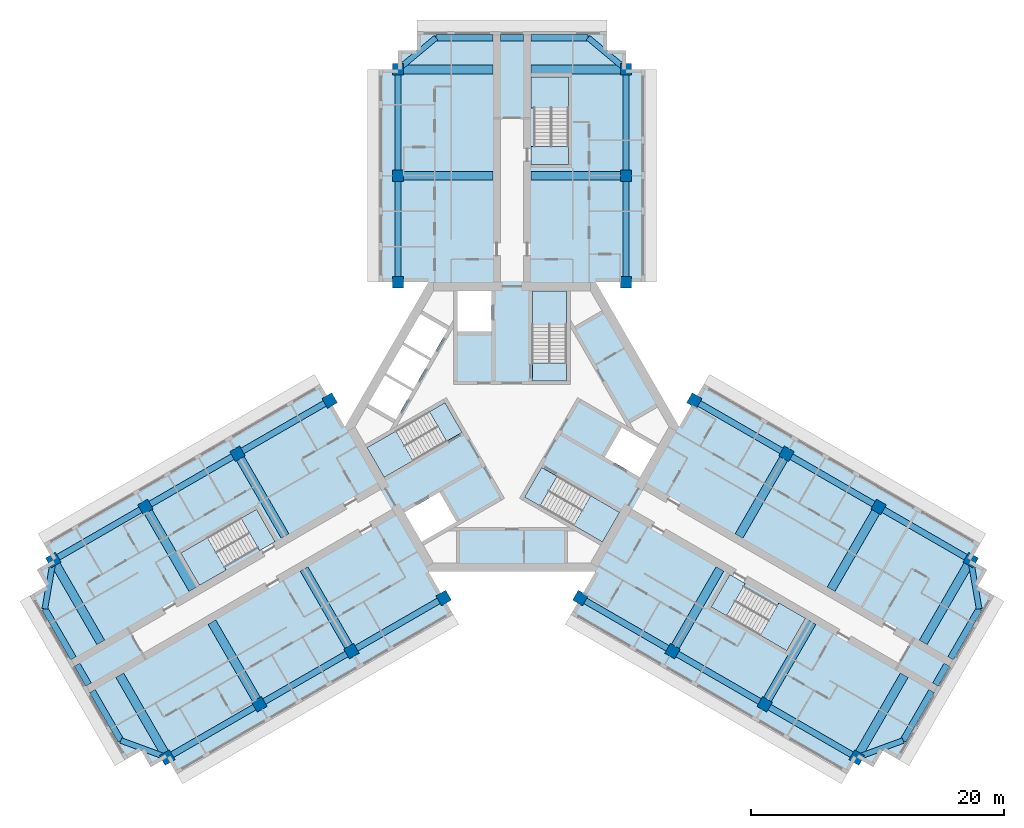
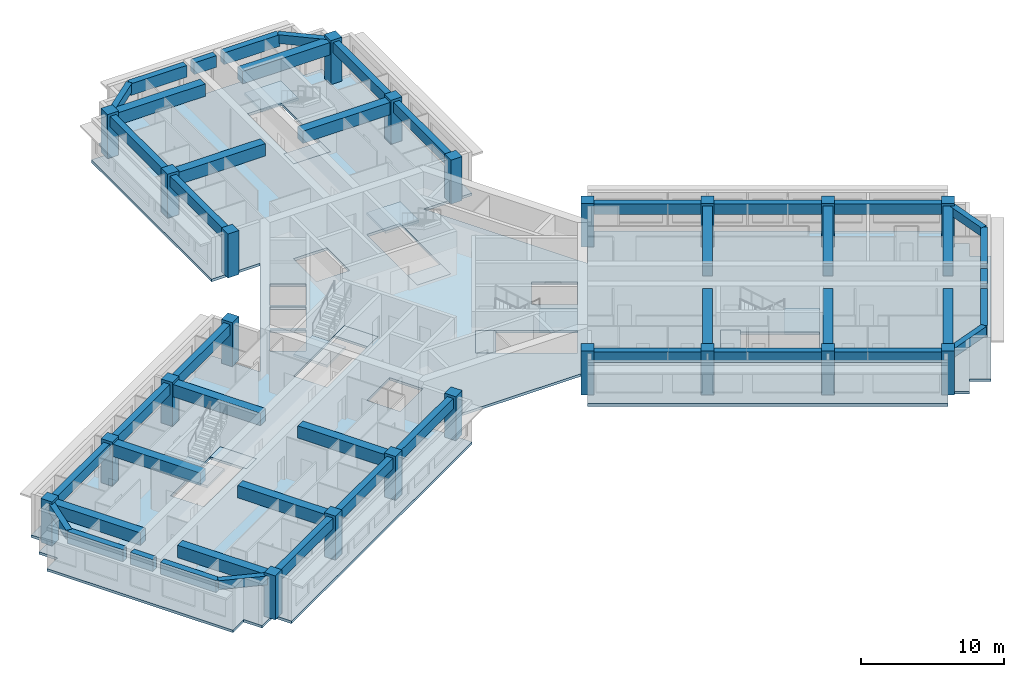
# One storey, part 1 of 12: 47 beams, 22 columns, 13 slabs, 6 elements without a shape of their own.
"""IFC4 building model written with IfcOpenShell, lengths in metres."""

from ifc_helpers import new_model, si_unit, direction, frame, origin, origin_2d, place, context, subcontext, project, spatial, polyline, rectangle, outline, extrude, material, layer, layer_set, material_profile, profile_set, type_object, element, aggregate, save


model = new_model("IFC4")

# Units and contexts
model_context = context("Model", 3, precision=1e-05, world=origin(), true_north=direction((0.0, 1.0)))
body_context = subcontext(model_context, "Body", "Model", "MODEL_VIEW")
ifc_project = project(units=[si_unit("LENGTHUNIT", "METRE"), si_unit("AREAUNIT", "SQUARE_METRE"), si_unit("VOLUMEUNIT", "CUBIC_METRE"), si_unit("PLANEANGLEUNIT", "RADIAN"), si_unit("MASSUNIT", "GRAM", prefix="KILO")], contexts=[model_context])

# Site, building, storey
site_placement = place(None, origin())
site = spatial("IfcSite", under=ifc_project, at=site_placement, CompositionType="ELEMENT")
building_placement = place(site_placement, origin())
building = spatial("IfcBuilding", under=site, at=building_placement, Name="Impinga Residences", CompositionType="ELEMENT")
storey_placement = place(building_placement, frame((0.0, 0.0, 211.0)))
storey = spatial("IfcBuildingStorey", under=building, at=storey_placement, Name="L52", CompositionType="ELEMENT", Elevation=211.0)

# Columns
ifc_material_1 = material(Name="Concrete C60/75", Category="concrete")
ifc_material_profile_1 = material_profile(ifc_material_1, rectangle(XDim=0.89990234375, YDim=0.89990234375, at=origin_2d()), Name="RC 900x900")
ifc_profile_set_1 = profile_set([ifc_material_profile_1], Name="Concrete C60/75")
column_type = type_object("IfcColumnType", Name="C4 900x900 column", PredefinedType="COLUMN", material=ifc_profile_set_1)
for number, where, z_axis, x_axis, name in (
    (1, (-9.0, 11.431640625, 0.0), (0.0, 0.0, 1.0), (1.0, 0.0, 0.0), "Column C4 N1/NA L52"),
    (2, (9.0, 11.431640625, 0.0), (0.0, 0.0, 1.0), (1.0, 0.0, 0.0), "Column C4 N1/NF L52"),
    (3, (-9.0, 19.83154296875, 0.0), (0.0, 0.0, 1.0), (1.0, 0.0, 0.0), "Column C4 N2/NA L52"),
    (4, (9.0, 19.83154296875, 0.0), (0.0, 0.0, 1.0), (1.0, 0.0, 0.0), "Column C4 N2/NF L52"),
    (5, (-9.0, 28.2314453125, 0.0), (0.0, 0.0, 1.0), (1.0, 0.0, 0.0), "Column C4 N3/NA L52"),
    (6, (9.0, 28.2314453125, 0.0), (0.0, 0.0, 1.0), (1.0, 0.0, 0.0), "Column C4 N3/NF L52"),
    (7, (-5.39990234375, -13.510009765625, 0.0), (0.0, 0.0, 1.0), (-0.5, 0.866025403784, 0.0), "Column C4 W1/WA L52"),
    (8, (-14.39990234375, 2.078369140625, 0.0), (0.0, 0.0, 1.0), (-0.5, 0.866025403784, 0.0), "Column C4 W1/WF L52"),
    (9, (-12.674560546875, -17.7099609375, 0.0), (0.0, 0.0, 1.0), (-0.5, 0.866025403784, 0.0), "Column C4 W2/WA L52"),
    (10, (-21.674560546875, -2.12158203125, 0.0), (0.0, 0.0, 1.0), (-0.5, 0.866025403784, 0.0), "Column C4 W2/WF L52"),
    (11, (-19.94921875, -21.909912109375, 0.0), (0.0, 0.0, 1.0), (-0.5, 0.866025403784, 0.0), "Column C4 W3/WA L52"),
    (12, (-28.94921875, -6.321533203125, 0.0), (0.0, 0.0, 1.0), (-0.5, 0.866025403784, 0.0), "Column C4 W3/WF L52"),
    (13, (-27.223876953125, -26.110107421875, 0.0), (0.0, 0.0, 1.0), (-0.5, 0.866025403784, 0.0), "Column C4 W4/WA L52"),
    (14, (-36.223876953125, -10.521484375, 0.0), (0.0, 0.0, 1.0), (-0.5, 0.866025403784, 0.0), "Column C4 W4/WF L52"),
    (15, (14.39990234375, 2.078369140625, 0.0), (0.0, 0.0, 1.0), (-0.5, -0.866025403784, 0.0), "Column C4 E1/EA L52"),
    (16, (5.39990234375, -13.510009765625, 0.0), (0.0, 0.0, 1.0), (-0.5, -0.866025403784, 0.0), "Column C4 E1/EF L52"),
    (17, (21.674560546875, -2.12158203125, 0.0), (0.0, 0.0, 1.0), (-0.5, -0.866025403784, 0.0), "Column C4 E2/EA L52"),
    (18, (12.674560546875, -17.7099609375, 0.0), (0.0, 0.0, 1.0), (-0.5, -0.866025403784, 0.0), "Column C4 E2/EF L52"),
    (19, (28.94921875, -6.321533203125, 0.0), (0.0, 0.0, 1.0), (-0.5, -0.866025403784, 0.0), "Column C4 E3/EA L52"),
    (20, (19.94921875, -21.909912109375, 0.0), (0.0, 0.0, 1.0), (-0.5, -0.866025403784, 0.0), "Column C4 E3/EF L52"),
    (21, (36.223876953125, -10.521484375, 0.0), (0.0, 0.0, 1.0), (-0.5, -0.866025403784, 0.0), "Column C4 E4/EA L52"),
    (22, (27.223876953125, -26.110107421875, 0.0), (0.0, 0.0, 1.0), (-0.5, -0.866025403784, 0.0), "Column C4 E4/EF L52"),
):
    element("IfcColumn", number, at=place(storey_placement, frame(where, z_axis=z_axis, x_axis=x_axis)), inside=storey, type_object=column_type, Name=name, PredefinedType="COLUMN", context=body_context, shape_type="SweptSolid", body=[
        extrude(rectangle(XDim=0.89990234375, YDim=0.89990234375, at=origin_2d()), origin(), (0.0, 0.0, 1.0), 3.75),
    ])

# Beams
ifc_material_profile_2 = material_profile(ifc_material_1, rectangle(XDim=0.449951171875, YDim=0.75, at=origin_2d()), Name="RC 450x750")
ifc_profile_set_2 = profile_set([ifc_material_profile_2], Name="Concrete C60/75")
beam_type_1 = type_object("IfcBeamType", Name="CB1 450x750 wing end cantilever beam", PredefinedType="BEAM", material=ifc_profile_set_2)
for number, where, z_axis, x_axis, name in (
    (23, (-9.0, 28.2314453125, 3.155029296875), (0.768221279597, 0.640184399664, 0.0), (-0.640184399664, 0.768221279597, 0.0), "Beam CB1 NB N3-NX level L53"),
    (24, (9.0, 28.2314453125, 3.155029296875), (-0.768221279597, 0.640184399664, 0.0), (-0.640184399664, -0.768221279597, 0.0), "Beam CB1 NE N3-NX level L53"),
    (25, (-27.223876953125, -26.110107421875, 3.155029296875), (-0.938520178725, 0.345224382289, 0.0), (-0.345224382289, -0.938520178725, 0.0), "Beam CB1 WB W4-WX level L53"),
):
    element("IfcBeam", number, at=place(storey_placement, frame(where, z_axis=z_axis, x_axis=x_axis)), inside=storey, type_object=beam_type_1, Name=name, PredefinedType="BEAM", context=body_context, shape_type="SweptSolid", body=[
        extrude(rectangle(XDim=0.449951171875, YDim=0.75, at=origin_2d()), origin(), (0.0, 0.0, 1.0), 3.905029296875),
    ])
for number, where, z_axis, x_axis, name in (
    (26, (-36.223876953125, -10.521484375, 3.155029296875), (-0.170296298948, -0.985392901621, 0.0), (0.985392901621, -0.170296298948, 0.0), "Beam CB1 WE W4-WX level L53"),
    (27, (36.223876953125, -10.521484375, 3.155029296875), (0.170296298948, -0.985392901621, 0.0), (0.985392901621, 0.170296298948, 0.0), "Beam CB1 EB E4-EX level L53"),
):
    element("IfcBeam", number, at=place(storey_placement, frame(where, z_axis=z_axis, x_axis=x_axis)), inside=storey, type_object=beam_type_1, Name=name, PredefinedType="BEAM", context=body_context, shape_type="SweptSolid", body=[
        extrude(rectangle(XDim=0.449951171875, YDim=0.75, at=origin_2d()), origin(), (0.0, 0.0, 1.0), 3.9052734375),
    ])
beam_1_placement = place(storey_placement, frame((27.223876953125, -26.110107421875, 3.155029296875), z_axis=(0.938520178725, 0.345224382289, 0.0), x_axis=(-0.345224382289, 0.938520178725, 0.0)))
element("IfcBeam", 28, at=beam_1_placement, inside=storey, type_object=beam_type_1, Name="Beam CB1 EE E4-EX level L53", PredefinedType="BEAM", context=body_context, shape_type="SweptSolid", body=[
    extrude(rectangle(XDim=0.449951171875, YDim=0.75, at=origin_2d()), origin(), (0.0, 0.0, 1.0), 3.905029296875),
])
ifc_material_profile_3 = material_profile(ifc_material_1, rectangle(XDim=0.699951171875, YDim=1.050048828125, at=origin_2d()), Name="RC 700x1050")
ifc_profile_set_3 = profile_set([ifc_material_profile_3], Name="Concrete C60/75")
beam_type_2 = type_object("IfcBeamType", Name="CG1 700x1050 cross girder on a wing bay line", PredefinedType="BEAM", material=ifc_profile_set_3)
for number, where, z_axis, x_axis, name in (
    (29, (-1.5, 19.83154296875, 3.0048828125), (-1.0, 0.0, 0.0), (0.0, -1.0, 0.0), "Beam CG1 N2 NC/NA level L53"),
    (30, (-1.5, 28.2314453125, 3.0048828125), (-1.0, 0.0, 0.0), (0.0, -1.0, 0.0), "Beam CG1 N3 NC/NA level L53"),
    (31, (1.5, 19.83154296875, 3.0048828125), (1.0, 0.0, 0.0), (0.0, 1.0, 0.0), "Beam CG1 N2 NC/NF level L53"),
    (32, (1.5, 28.2314453125, 3.0048828125), (1.0, 0.0, 0.0), (0.0, 1.0, 0.0), "Beam CG1 N3 NC/NF level L53"),
    (33, (-16.424560546875, -11.21484375, 3.0048828125), (0.500004234368, -0.866022959057, 0.0), (0.866022959057, 0.500004234368, 0.0), "Beam CG1 W2 WC/WA level L53"),
    (34, (-23.69921875, -15.414794921875, 3.0048828125), (0.500004234368, -0.866022959057, 0.0), (0.866022959057, 0.500004234368, 0.0), "Beam CG1 W3 WC/WA level L53"),
):
    element("IfcBeam", number, at=place(storey_placement, frame(where, z_axis=z_axis, x_axis=x_axis)), inside=storey, type_object=beam_type_2, Name=name, PredefinedType="BEAM", context=body_context, shape_type="SweptSolid", body=[
        extrude(rectangle(XDim=0.699951171875, YDim=1.050048828125, at=origin_2d()), origin(), (0.0, 0.0, 1.0), 7.5),
    ])
beam_2_placement = place(storey_placement, frame((-30.973876953125, -19.61474609375, 3.0048828125), z_axis=(0.499990139034, -0.866031096941, 0.0), x_axis=(0.866031096941, 0.499990139034, 0.0)))
element("IfcBeam", 35, at=beam_2_placement, inside=storey, type_object=beam_type_2, Name="Beam CG1 W4 WC/WA level L53", PredefinedType="BEAM", context=body_context, shape_type="SweptSolid", body=[
    extrude(rectangle(XDim=0.699951171875, YDim=1.050048828125, at=origin_2d()), origin(), (0.0, 0.0, 1.0), 7.500244140625),
])
for number, where, z_axis, x_axis, name in (
    (36, (-17.924560546875, -8.61669921875, 3.0048828125), (-0.500004234368, 0.866022959057, 0.0), (-0.866022959057, -0.500004234368, 0.0), "Beam CG1 W2 WC/WF level L53"),
    (37, (-25.19921875, -12.816650390625, 3.0048828125), (-0.500004234368, 0.866022959057, 0.0), (-0.866022959057, -0.500004234368, 0.0), "Beam CG1 W3 WC/WF level L53"),
):
    element("IfcBeam", number, at=place(storey_placement, frame(where, z_axis=z_axis, x_axis=x_axis)), inside=storey, type_object=beam_type_2, Name=name, PredefinedType="BEAM", context=body_context, shape_type="SweptSolid", body=[
        extrude(rectangle(XDim=0.699951171875, YDim=1.050048828125, at=origin_2d()), origin(), (0.0, 0.0, 1.0), 7.5),
    ])
beam_3_placement = place(storey_placement, frame((-32.473876953125, -17.016845703125, 3.0048828125), z_axis=(-0.499990139034, 0.866031096941, 0.0), x_axis=(-0.866031096941, -0.499990139034, 0.0)))
element("IfcBeam", 38, at=beam_3_placement, inside=storey, type_object=beam_type_2, Name="Beam CG1 W4 WC/WF level L53", PredefinedType="BEAM", context=body_context, shape_type="SweptSolid", body=[
    extrude(rectangle(XDim=0.699951171875, YDim=1.050048828125, at=origin_2d()), origin(), (0.0, 0.0, 1.0), 7.500244140625),
])
for number, where, z_axis, x_axis, name in (
    (39, (17.924560546875, -8.61669921875, 3.0048828125), (0.500004234368, 0.866022959057, 0.0), (-0.866022959057, 0.500004234368, 0.0), "Beam CG1 E2 EC/EA level L53"),
    (40, (25.19921875, -12.816650390625, 3.0048828125), (0.500004234368, 0.866022959057, 0.0), (-0.866022959057, 0.500004234368, 0.0), "Beam CG1 E3 EC/EA level L53"),
):
    element("IfcBeam", number, at=place(storey_placement, frame(where, z_axis=z_axis, x_axis=x_axis)), inside=storey, type_object=beam_type_2, Name=name, PredefinedType="BEAM", context=body_context, shape_type="SweptSolid", body=[
        extrude(rectangle(XDim=0.699951171875, YDim=1.050048828125, at=origin_2d()), origin(), (0.0, 0.0, 1.0), 7.5),
    ])
beam_4_placement = place(storey_placement, frame((32.473876953125, -17.016845703125, 3.0048828125), z_axis=(0.499990139034, 0.866031096941, 0.0), x_axis=(-0.866031096941, 0.499990139034, 0.0)))
element("IfcBeam", 41, at=beam_4_placement, inside=storey, type_object=beam_type_2, Name="Beam CG1 E4 EC/EA level L53", PredefinedType="BEAM", context=body_context, shape_type="SweptSolid", body=[
    extrude(rectangle(XDim=0.699951171875, YDim=1.050048828125, at=origin_2d()), origin(), (0.0, 0.0, 1.0), 7.500244140625),
])
for number, where, z_axis, x_axis, name in (
    (42, (16.424560546875, -11.21484375, 3.0048828125), (-0.500004234368, -0.866022959057, 0.0), (0.866022959057, -0.500004234368, 0.0), "Beam CG1 E2 EC/EF level L53"),
    (43, (23.69921875, -15.414794921875, 3.0048828125), (-0.500004234368, -0.866022959057, 0.0), (0.866022959057, -0.500004234368, 0.0), "Beam CG1 E3 EC/EF level L53"),
):
    element("IfcBeam", number, at=place(storey_placement, frame(where, z_axis=z_axis, x_axis=x_axis)), inside=storey, type_object=beam_type_2, Name=name, PredefinedType="BEAM", context=body_context, shape_type="SweptSolid", body=[
        extrude(rectangle(XDim=0.699951171875, YDim=1.050048828125, at=origin_2d()), origin(), (0.0, 0.0, 1.0), 7.5),
    ])
beam_5_placement = place(storey_placement, frame((30.973876953125, -19.61474609375, 3.0048828125), z_axis=(-0.499990139034, -0.866031096941, 0.0), x_axis=(0.866031096941, -0.499990139034, 0.0)))
element("IfcBeam", 44, at=beam_5_placement, inside=storey, type_object=beam_type_2, Name="Beam CG1 E4 EC/EF level L53", PredefinedType="BEAM", context=body_context, shape_type="SweptSolid", body=[
    extrude(rectangle(XDim=0.699951171875, YDim=1.050048828125, at=origin_2d()), origin(), (0.0, 0.0, 1.0), 7.500244140625),
])
ifc_material_profile_4 = material_profile(ifc_material_1, rectangle(XDim=0.5, YDim=1.0, at=origin_2d()), Name="RC 500x1000")
ifc_profile_set_4 = profile_set([ifc_material_profile_4], Name="Concrete C60/75")
beam_type_3 = type_object("IfcBeamType", Name="EB1 500x1000 wing end beam", PredefinedType="BEAM", material=ifc_profile_set_4)
beam_6_placement = place(storey_placement, frame((-6.0, 30.7314453125, 3.030029296875), z_axis=(1.0, 0.0, 0.0), x_axis=(0.0, 1.0, 0.0)))
element("IfcBeam", 45, at=beam_6_placement, inside=storey, type_object=beam_type_3, Name="Beam EB1 NX2 level L53", PredefinedType="BEAM", context=body_context, shape_type="SweptSolid", body=[
    extrude(rectangle(XDim=0.5, YDim=1.0, at=origin_2d()), origin(), (0.0, 0.0, 1.0), 4.5),
])
beam_7_placement = place(storey_placement, frame((-0.89990234375, 30.7314453125, 3.030029296875), z_axis=(1.0, 0.0, 0.0), x_axis=(0.0, 1.0, 0.0)))
element("IfcBeam", 46, at=beam_7_placement, inside=storey, type_object=beam_type_3, Name="Beam EB1 NX2 level L53", PredefinedType="BEAM", context=body_context, shape_type="SweptSolid", body=[
    extrude(rectangle(XDim=0.5, YDim=1.0, at=origin_2d()), origin(), (0.0, 0.0, 1.0), 1.7998046875),
])
for number, where, z_axis, x_axis, name in (
    (47, (1.5, 30.7314453125, 3.030029296875), (1.0, 0.0, 0.0), (0.0, 1.0, 0.0), "Beam EB1 NX2 level L53"),
    (48, (-30.888916015625, -24.761962890625, 3.030029296875), (-0.499990139034, 0.866031096941, 0.0), (-0.866031096941, -0.499990139034, 0.0), "Beam EB1 WX3 level L53"),
):
    element("IfcBeam", number, at=place(storey_placement, frame(where, z_axis=z_axis, x_axis=x_axis)), inside=storey, type_object=beam_type_3, Name=name, PredefinedType="BEAM", context=body_context, shape_type="SweptSolid", body=[
        extrude(rectangle(XDim=0.5, YDim=1.0, at=origin_2d()), origin(), (0.0, 0.0, 1.0), 4.5),
    ])
beam_8_placement = place(storey_placement, frame((-33.43896484375, -20.34521484375, 3.030029296875), z_axis=(-0.499961193289, 0.866047807691, 0.0), x_axis=(-0.866047807691, -0.499961193289, 0.0)))
element("IfcBeam", 49, at=beam_8_placement, inside=storey, type_object=beam_type_3, Name="Beam EB1 WX3 level L53", PredefinedType="BEAM", context=body_context, shape_type="SweptSolid", body=[
    extrude(rectangle(XDim=0.5, YDim=1.0, at=origin_2d()), origin(), (0.0, 0.0, 1.0), 1.800048828125),
])
for number, where, z_axis, x_axis, name in (
    (50, (-34.638916015625, -18.266845703125, 3.030029296875), (-0.499990139034, 0.866031096941, 0.0), (-0.866031096941, -0.499990139034, 0.0), "Beam EB1 WX3 level L53"),
    (51, (36.888916015625, -14.36962890625, 3.030029296875), (-0.499990139034, -0.866031096941, 0.0), (0.866031096941, -0.499990139034, 0.0), "Beam EB1 EX3 level L53"),
):
    element("IfcBeam", number, at=place(storey_placement, frame(where, z_axis=z_axis, x_axis=x_axis)), inside=storey, type_object=beam_type_3, Name=name, PredefinedType="BEAM", context=body_context, shape_type="SweptSolid", body=[
        extrude(rectangle(XDim=0.5, YDim=1.0, at=origin_2d()), origin(), (0.0, 0.0, 1.0), 4.5),
    ])
beam_9_placement = place(storey_placement, frame((34.3388671875, -18.786376953125, 3.030029296875), z_axis=(-0.499961193289, -0.866047807691, 0.0), x_axis=(0.866047807691, -0.499961193289, 0.0)))
element("IfcBeam", 52, at=beam_9_placement, inside=storey, type_object=beam_type_3, Name="Beam EB1 EX3 level L53", PredefinedType="BEAM", context=body_context, shape_type="SweptSolid", body=[
    extrude(rectangle(XDim=0.5, YDim=1.0, at=origin_2d()), origin(), (0.0, 0.0, 1.0), 1.800048828125),
])
beam_10_placement = place(storey_placement, frame((33.138916015625, -20.86474609375, 3.030029296875), z_axis=(-0.499990139034, -0.866031096941, 0.0), x_axis=(0.866031096941, -0.499990139034, 0.0)))
element("IfcBeam", 53, at=beam_10_placement, inside=storey, type_object=beam_type_3, Name="Beam EB1 EX3 level L53", PredefinedType="BEAM", context=body_context, shape_type="SweptSolid", body=[
    extrude(rectangle(XDim=0.5, YDim=1.0, at=origin_2d()), origin(), (0.0, 0.0, 1.0), 4.5),
])
ifc_material_profile_5 = material_profile(ifc_material_1, rectangle(XDim=0.5, YDim=0.89990234375, at=origin_2d()), Name="RC 500x900")
ifc_profile_set_5 = profile_set([ifc_material_profile_5], Name="Concrete C60/75")
beam_type_4 = type_object("IfcBeamType", Name="SB1 500x900 perimeter spandrel beam", PredefinedType="SPANDREL", material=ifc_profile_set_5)
for number, where, z_axis, x_axis, name in (
    (54, (-9.0, 11.431640625, 3.080078125), (0.0, 1.0, 0.0), (-1.0, 0.0, 0.0), "Beam SB1 NA N1-N2 level L53"),
    (55, (-9.0, 19.83154296875, 3.080078125), (0.0, 1.0, 0.0), (-1.0, 0.0, 0.0), "Beam SB1 NA N2-N3 level L53"),
    (56, (9.0, 11.431640625, 3.080078125), (0.0, 1.0, 0.0), (-1.0, 0.0, 0.0), "Beam SB1 NF N1-N2 level L53"),
    (57, (9.0, 19.83154296875, 3.080078125), (0.0, 1.0, 0.0), (-1.0, 0.0, 0.0), "Beam SB1 NF N2-N3 level L53"),
    (58, (-5.39990234375, -13.510009765625, 3.080078125), (-0.86602925447, -0.499993330357, 0.0), (0.499993330357, -0.86602925447, 0.0), "Beam SB1 WA W1-W2 level L53"),
    (59, (-12.674560546875, -17.7099609375, 3.080078125), (-0.86602925447, -0.499993330357, 0.0), (0.499993330357, -0.86602925447, 0.0), "Beam SB1 WA W2-W3 level L53"),
):
    element("IfcBeam", number, at=place(storey_placement, frame(where, z_axis=z_axis, x_axis=x_axis)), inside=storey, type_object=beam_type_4, Name=name, PredefinedType="SPANDREL", context=body_context, shape_type="SweptSolid", body=[
        extrude(rectangle(XDim=0.5, YDim=0.89990234375, at=origin_2d()), origin(), (0.0, 0.0, 1.0), 8.39990234375),
    ])
beam_11_placement = place(storey_placement, frame((-19.94921875, -21.909912109375, 3.080078125), z_axis=(-0.866016669275, -0.500015128309, 0.0), x_axis=(0.500015128309, -0.866016669275, 0.0)))
element("IfcBeam", 60, at=beam_11_placement, inside=storey, type_object=beam_type_4, Name="Beam SB1 WA W3-W4 level L53", PredefinedType="SPANDREL", context=body_context, shape_type="SweptSolid", body=[
    extrude(rectangle(XDim=0.5, YDim=0.89990234375, at=origin_2d()), origin(), (0.0, 0.0, 1.0), 8.400146484375),
])
for number, where, z_axis, x_axis, name in (
    (61, (-14.39990234375, 2.078369140625, 3.080078125), (-0.86602925447, -0.499993330357, 0.0), (0.499993330357, -0.86602925447, 0.0), "Beam SB1 WF W1-W2 level L53"),
    (62, (-21.674560546875, -2.12158203125, 3.080078125), (-0.86602925447, -0.499993330357, 0.0), (0.499993330357, -0.86602925447, 0.0), "Beam SB1 WF W2-W3 level L53"),
    (63, (-28.94921875, -6.321533203125, 3.080078125), (-0.86602925447, -0.499993330357, 0.0), (0.499993330357, -0.86602925447, 0.0), "Beam SB1 WF W3-W4 level L53"),
    (64, (14.39990234375, 2.078369140625, 3.080078125), (0.86602925447, -0.499993330357, 0.0), (0.499993330357, 0.86602925447, 0.0), "Beam SB1 EA E1-E2 level L53"),
    (65, (21.674560546875, -2.12158203125, 3.080078125), (0.86602925447, -0.499993330357, 0.0), (0.499993330357, 0.86602925447, 0.0), "Beam SB1 EA E2-E3 level L53"),
    (66, (28.94921875, -6.321533203125, 3.080078125), (0.86602925447, -0.499993330357, 0.0), (0.499993330357, 0.86602925447, 0.0), "Beam SB1 EA E3-E4 level L53"),
    (67, (5.39990234375, -13.510009765625, 3.080078125), (0.86602925447, -0.499993330357, 0.0), (0.499993330357, 0.86602925447, 0.0), "Beam SB1 EF E1-E2 level L53"),
    (68, (12.674560546875, -17.7099609375, 3.080078125), (0.86602925447, -0.499993330357, 0.0), (0.499993330357, 0.86602925447, 0.0), "Beam SB1 EF E2-E3 level L53"),
):
    element("IfcBeam", number, at=place(storey_placement, frame(where, z_axis=z_axis, x_axis=x_axis)), inside=storey, type_object=beam_type_4, Name=name, PredefinedType="SPANDREL", context=body_context, shape_type="SweptSolid", body=[
        extrude(rectangle(XDim=0.5, YDim=0.89990234375, at=origin_2d()), origin(), (0.0, 0.0, 1.0), 8.39990234375),
    ])
beam_12_placement = place(storey_placement, frame((19.94921875, -21.909912109375, 3.080078125), z_axis=(0.866016669275, -0.500015128309, 0.0), x_axis=(0.500015128309, 0.866016669275, 0.0)))
element("IfcBeam", 69, at=beam_12_placement, inside=storey, type_object=beam_type_4, Name="Beam SB1 EF E3-E4 level L53", PredefinedType="SPANDREL", context=body_context, shape_type="SweptSolid", body=[
    extrude(rectangle(XDim=0.5, YDim=0.89990234375, at=origin_2d()), origin(), (0.0, 0.0, 1.0), 8.400146484375),
])

# Slab
ifc_layer_1 = layer(ifc_material_1, 0.219970703125)
ifc_layer_set_1 = layer_set([ifc_layer_1], Name="Concrete C60/75")
slab_type_1 = type_object("IfcSlabType", Name="FS1 tower floor slab 220", PredefinedType="FLOOR", material=ifc_layer_set_1)
slab_1_placement = place(storey_placement, frame((0.0, 0.0, -0.219970703125)))
element("IfcSlab", 70, at=slab_1_placement, inside=storey, type_object=slab_type_1, Name="Floor slab FS1 L52", PredefinedType="FLOOR", context=body_context, shape_type="SweptSolid", body=[
    extrude(outline(polyline([(-27.223876953125, -26.110107421875), (-28.52294921875, -26.860107421875), (-29.27294921875, -25.56103515625), (-30.572021484375, -26.31103515625), (-38.072021484375, -13.320556640625), (-36.77294921875, -12.570556640625), (-37.52294921875, -11.271484375), (-36.223876953125, -10.521484375), (-36.973876953125, -9.222412109375), (-15.14990234375, 3.37744140625), (-13.199951171875, 0.0), (-6.60009765625, 11.431640625), (-10.5, 11.431640625), (-10.5, 28.2314453125), (-9.0, 28.2314453125), (-9.0, 29.7314453125), (-7.5, 29.7314453125), (-7.5, 31.2314453125), (7.5, 31.2314453125), (7.5, 29.7314453125), (9.0, 29.7314453125), (9.0, 28.2314453125), (10.5, 28.2314453125), (10.5, 11.431640625), (6.60009765625, 11.431640625), (13.199951171875, 0.0), (15.14990234375, 3.37744140625), (36.973876953125, -9.222412109375), (36.223876953125, -10.521484375), (37.52294921875, -11.271484375), (36.77294921875, -12.570556640625), (38.072021484375, -13.320556640625), (30.572021484375, -26.31103515625), (29.27294921875, -25.56103515625), (28.52294921875, -26.860107421875), (27.223876953125, -26.110107421875), (26.473876953125, -27.408935546875), (4.64990234375, -14.80908203125), (9.900146484375, -5.7158203125), (6.60009765625, -11.431640625), (-6.60009765625, -11.431640625), (-9.900146484375, -5.7158203125), (-4.64990234375, -14.80908203125), (-26.473876953125, -27.408935546875), (-27.223876953125, -26.110107421875)]), holes=[polyline([(-18.7041015625, -9.066650390625), (-18.8291015625, -8.850341796875), (-18.8291015625, -8.850341796875), (-20.178955078125, -6.511962890625), (-21.391357421875, -7.2119140625), (-21.391357421875, -7.2119140625), (-26.154541015625, -9.9619140625), (-24.8046875, -12.30029296875), (-20.04150390625, -9.55029296875), (-19.91650390625, -9.766845703125), (-18.7041015625, -9.066650390625)]), polyline([(-5.72119140625, -5.150634765625), (-8.493896484375, -6.75146484375), (-7.143798828125, -9.089599609375), (-4.37109375, -7.489013671875), (-5.72119140625, -5.150634765625)]), polyline([(-5.293701171875, 1.908935546875), (-11.44384765625, -1.641845703125), (-10.09375, -3.980224609375), (-3.943603515625, -0.429443359375), (-5.293701171875, 1.908935546875)]), polyline([(-7.878662109375, 2.816650390625), (-10.043701171875, 4.066650390625), (-11.34375, 1.81494140625), (-9.1787109375, 0.56494140625), (-7.878662109375, 2.816650390625)]), polyline([(-6.478759765625, 5.24169921875), (-8.643798828125, 6.49169921875), (-9.94384765625, 4.239990234375), (-7.77880859375, 2.989990234375), (-6.478759765625, 5.24169921875)]), polyline([(-6.378662109375, 5.414794921875), (-5.07861328125, 7.66650390625), (-7.243896484375, 8.91650390625), (-8.543701171875, 6.664794921875), (-6.378662109375, 5.414794921875)]), polyline([(-4.300048828125, 7.530029296875), (-1.60009765625, 7.530029296875), (-1.60009765625, 10.7314453125), (-4.300048828125, 10.7314453125), (-4.300048828125, 7.530029296875)]), polyline([(15.72900390625, -14.219482421875), (21.70458984375, -17.669677734375), (23.0546875, -15.331298828125), (18.29150390625, -12.581298828125), (18.41650390625, -12.36474609375), (17.2041015625, -11.664794921875), (15.72900390625, -14.219482421875)]), polyline([(0.99365234375, -5.538818359375), (7.143798828125, -9.089599609375), (8.493896484375, -6.75146484375), (2.34375, -3.20068359375), (0.99365234375, -5.538818359375)]), polyline([(7.3212890625, -2.37939453125), (10.09375, -3.980224609375), (11.44384765625, -1.641845703125), (8.671142578125, -0.041015625), (7.3212890625, -2.37939453125)]), polyline([(4.300048828125, 3.6298828125), (4.300048828125, 10.7314453125), (1.60009765625, 10.7314453125), (1.60009765625, 3.6298828125), (4.300048828125, 3.6298828125)]), polyline([(1.75, 22.131591796875), (1.5, 22.131591796875), (1.5, 20.7314453125), (1.75, 20.7314453125), (4.449951171875, 20.7314453125), (4.449951171875, 22.131591796875), (4.449951171875, 27.631591796875), (1.75, 27.631591796875), (1.75, 22.131591796875)])]), origin(), (0.0, 0.0, 1.0), 0.219970703125),
])

# Stair, slabs
ifc_material_2 = material(Name="Concrete C40/50", Category="concrete")
stair_type_1 = type_object("IfcStairType", Name="STR core stair 3750 storey, 24 risers", PredefinedType="HALF_TURN_STAIR", material=ifc_material_2)
stair_1_placement = place(storey_placement, origin())
stair_1 = element("IfcStair", 71, at=stair_1_placement, inside=storey, type_object=stair_type_1, Name="Stair ST1 L52", PredefinedType="HALF_TURN_STAIR")
ifc_layer_2 = layer(ifc_material_2, 0.199951171875)
ifc_layer_set_2 = layer_set([ifc_layer_2], Name="Concrete C40/50")
slab_type_2 = type_object("IfcSlabType", Name="LS1 stair landing 200", PredefinedType="LANDING", material=ifc_layer_set_2)
slab_2_placement = place(storey_placement, frame((0.0, 0.0, -0.199951171875)))
slab_2 = element("IfcSlab", 72, at=slab_2_placement, type_object=slab_type_2, Name="ST1 landing 1", PredefinedType="LANDING", context=body_context, shape_type="SweptSolid", body=[
    extrude(outline(polyline([(1.60009765625, 3.6298828125), (4.300048828125, 3.6298828125), (4.300048828125, 5.0400390625), (1.60009765625, 5.0400390625), (1.60009765625, 3.6298828125)])), origin(), (0.0, 0.0, 1.0), 0.199951171875),
])
slab_3_placement = place(storey_placement, frame((0.0, 0.0, 1.675048828125)))
slab_3 = element("IfcSlab", 73, at=slab_3_placement, type_object=slab_type_2, Name="ST1 landing 2", PredefinedType="LANDING", context=body_context, shape_type="SweptSolid", body=[
    extrude(outline(polyline([(1.60009765625, 8.10009765625), (4.300048828125, 8.10009765625), (4.300048828125, 10.7314453125), (1.60009765625, 10.7314453125), (1.60009765625, 8.10009765625)])), origin(), (0.0, 0.0, 1.0), 0.199951171875),
])
aggregate(stair_1, [slab_2, slab_3])

stair_2_placement = place(storey_placement, origin())
stair_2 = element("IfcStair", 74, at=stair_2_placement, inside=storey, type_object=stair_type_1, Name="Stair ST2 L52", PredefinedType="HALF_TURN_STAIR")
slab_4_placement = place(storey_placement, frame((0.0, 0.0, -0.199951171875)))
slab_4 = element("IfcSlab", 75, at=slab_4_placement, type_object=slab_type_2, Name="ST2 landing 1", PredefinedType="LANDING", context=body_context, shape_type="SweptSolid", body=[
    extrude(outline(polyline([(-3.943603515625, -0.429443359375), (-5.293701171875, 1.908935546875), (-6.5146484375, 1.203857421875), (-5.164794921875, -1.13427734375), (-3.943603515625, -0.429443359375)])), origin(), (0.0, 0.0, 1.0), 0.199951171875),
])
slab_5_placement = place(storey_placement, frame((0.0, 0.0, 1.675048828125)))
slab_5 = element("IfcSlab", 76, at=slab_5_placement, type_object=slab_type_2, Name="ST2 landing 2", PredefinedType="LANDING", context=body_context, shape_type="SweptSolid", body=[
    extrude(outline(polyline([(-7.814697265625, -2.664306640625), (-9.164794921875, -0.326171875), (-11.44384765625, -1.641845703125), (-10.09375, -3.980224609375), (-7.814697265625, -2.664306640625)])), origin(), (0.0, 0.0, 1.0), 0.199951171875),
])
aggregate(stair_2, [slab_4, slab_5])

stair_3_placement = place(storey_placement, origin())
stair_3 = element("IfcStair", 77, at=stair_3_placement, inside=storey, type_object=stair_type_1, Name="Stair ST3 L52", PredefinedType="HALF_TURN_STAIR")
slab_6_placement = place(storey_placement, frame((0.0, 0.0, -0.199951171875)))
slab_6 = element("IfcSlab", 78, at=slab_6_placement, type_object=slab_type_2, Name="ST3 landing 1", PredefinedType="LANDING", context=body_context, shape_type="SweptSolid", body=[
    extrude(outline(polyline([(2.34375, -3.20068359375), (0.99365234375, -5.538818359375), (2.21484375, -6.243896484375), (3.564697265625, -3.90576171875), (2.34375, -3.20068359375)])), origin(), (0.0, 0.0, 1.0), 0.199951171875),
])
slab_7_placement = place(storey_placement, frame((0.0, 0.0, 1.675048828125)))
slab_7 = element("IfcSlab", 79, at=slab_7_placement, type_object=slab_type_2, Name="ST3 landing 2", PredefinedType="LANDING", context=body_context, shape_type="SweptSolid", body=[
    extrude(outline(polyline([(6.21484375, -5.435546875), (4.86474609375, -7.77392578125), (7.143798828125, -9.089599609375), (8.493896484375, -6.75146484375), (6.21484375, -5.435546875)])), origin(), (0.0, 0.0, 1.0), 0.199951171875),
])
aggregate(stair_3, [slab_6, slab_7])

stair_type_2 = type_object("IfcStairType", Name="STR wing stair 3750 storey, 24 risers", PredefinedType="HALF_TURN_STAIR", material=ifc_material_2)
stair_4_placement = place(storey_placement, origin())
stair_4 = element("IfcStair", 80, at=stair_4_placement, inside=storey, type_object=stair_type_2, Name="Stair WS1 L52", PredefinedType="HALF_TURN_STAIR")
slab_8_placement = place(storey_placement, frame((0.0, 0.0, -0.199951171875)))
slab_8 = element("IfcSlab", 81, at=slab_8_placement, type_object=slab_type_2, Name="WS1 landing 1", PredefinedType="LANDING", context=body_context, shape_type="SweptSolid", body=[
    extrude(outline(polyline([(1.5, 20.7314453125), (4.449951171875, 20.7314453125), (4.449951171875, 22.1416015625), (1.5, 22.1416015625), (1.5, 20.7314453125)])), origin(), (0.0, 0.0, 1.0), 0.199951171875),
])
slab_9_placement = place(storey_placement, frame((0.0, 0.0, 1.675048828125)))
slab_9 = element("IfcSlab", 82, at=slab_9_placement, type_object=slab_type_2, Name="WS1 landing 2", PredefinedType="LANDING", context=body_context, shape_type="SweptSolid", body=[
    extrude(outline(polyline([(1.5, 25.201416015625), (4.449951171875, 25.201416015625), (4.449951171875, 27.631591796875), (1.5, 27.631591796875), (1.5, 25.201416015625)])), origin(), (0.0, 0.0, 1.0), 0.199951171875),
])
aggregate(stair_4, [slab_8, slab_9])

stair_5_placement = place(storey_placement, origin())
stair_5 = element("IfcStair", 83, at=stair_5_placement, inside=storey, type_object=stair_type_2, Name="Stair WS2 L52", PredefinedType="HALF_TURN_STAIR")
slab_10_placement = place(storey_placement, frame((0.0, 0.0, -0.199951171875)))
slab_10 = element("IfcSlab", 84, at=slab_10_placement, type_object=slab_type_2, Name="WS2 landing 1", PredefinedType="LANDING", context=body_context, shape_type="SweptSolid", body=[
    extrude(outline(polyline([(-18.7041015625, -9.066650390625), (-20.178955078125, -6.511962890625), (-21.400146484375, -7.217041015625), (-19.925048828125, -9.771728515625), (-18.7041015625, -9.066650390625)])), origin(), (0.0, 0.0, 1.0), 0.199951171875),
])
slab_11_placement = place(storey_placement, frame((0.0, 0.0, 1.675048828125)))
slab_11 = element("IfcSlab", 85, at=slab_11_placement, type_object=slab_type_2, Name="WS2 landing 2", PredefinedType="LANDING", context=body_context, shape_type="SweptSolid", body=[
    extrude(outline(polyline([(-22.5751953125, -11.3017578125), (-24.050048828125, -8.7470703125), (-26.154541015625, -9.9619140625), (-24.6796875, -12.516845703125), (-22.5751953125, -11.3017578125)])), origin(), (0.0, 0.0, 1.0), 0.199951171875),
])
aggregate(stair_5, [slab_10, slab_11])

stair_6_placement = place(storey_placement, origin())
stair_6 = element("IfcStair", 86, at=stair_6_placement, inside=storey, type_object=stair_type_2, Name="Stair WS3 L52", PredefinedType="HALF_TURN_STAIR")
slab_12_placement = place(storey_placement, frame((0.0, 0.0, -0.199951171875)))
slab_12 = element("IfcSlab", 87, at=slab_12_placement, type_object=slab_type_2, Name="WS3 landing 1", PredefinedType="LANDING", context=body_context, shape_type="SweptSolid", body=[
    extrude(outline(polyline([(17.2041015625, -11.664794921875), (15.72900390625, -14.219482421875), (16.9501953125, -14.924560546875), (18.425048828125, -12.369873046875), (17.2041015625, -11.664794921875)])), origin(), (0.0, 0.0, 1.0), 0.199951171875),
])
slab_13_placement = place(storey_placement, frame((0.0, 0.0, 1.675048828125)))
slab_13 = element("IfcSlab", 88, at=slab_13_placement, type_object=slab_type_2, Name="WS3 landing 2", PredefinedType="LANDING", context=body_context, shape_type="SweptSolid", body=[
    extrude(outline(polyline([(21.0751953125, -13.89990234375), (19.60009765625, -16.45458984375), (21.70458984375, -17.669677734375), (23.1796875, -15.11474609375), (21.0751953125, -13.89990234375)])), origin(), (0.0, 0.0, 1.0), 0.199951171875),
])
aggregate(stair_6, [slab_12, slab_13])

save(model, "model.ifc")
